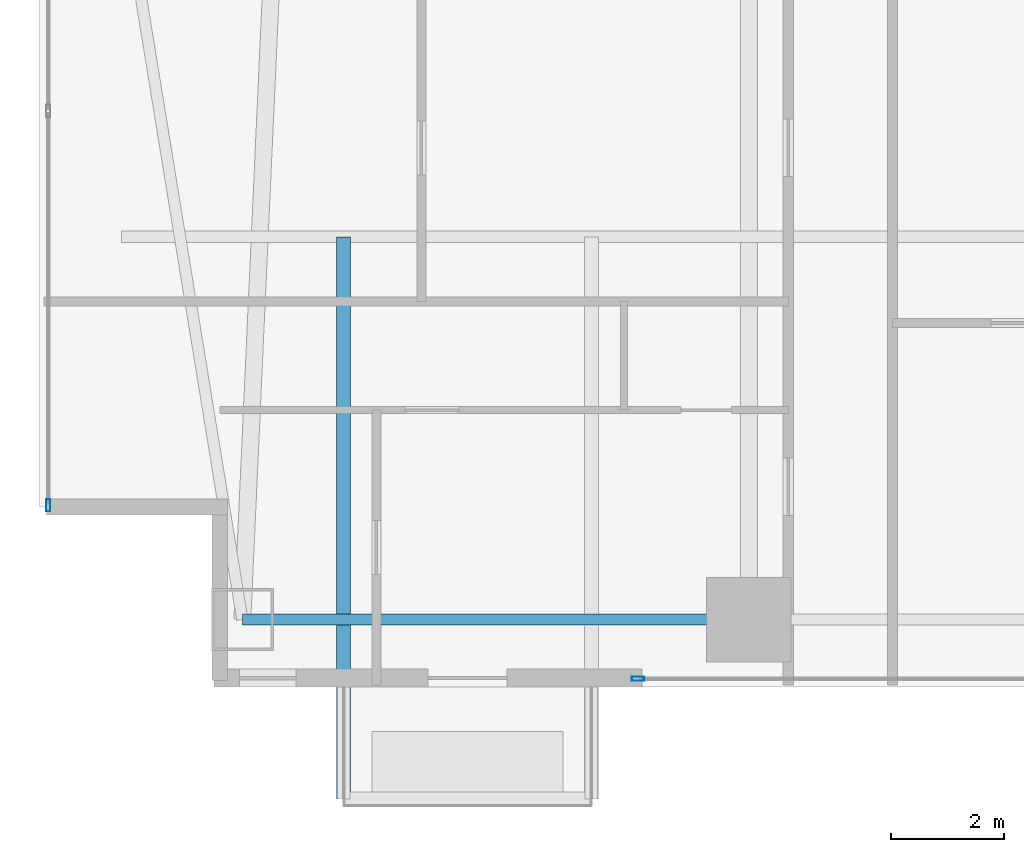
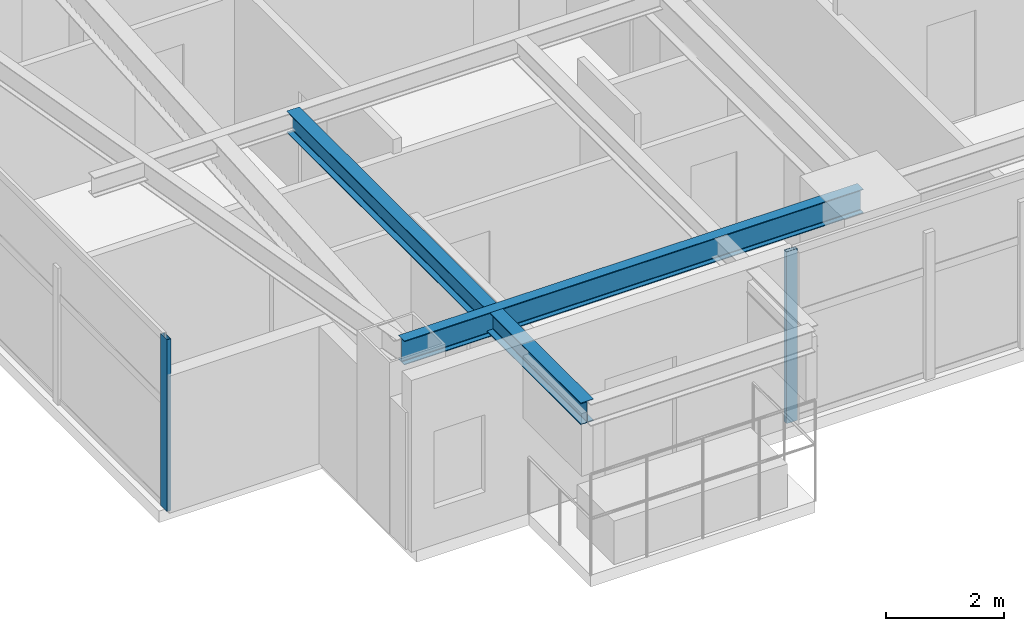
# One storey, part 2 of 29: 2 beams, 2 members, 2 elements without a shape of their own.
"""IFC4 building model written with IfcOpenShell, lengths in metres."""

from ifc_helpers import new_model, si_unit, direction, frame, origin, origin_2d, place, context, subcontext, project, spatial, hollow_rectangle, i_section, extrude, material, layer, layer_set, material_profile, profile_set, type_object, element, aggregate, save


model = new_model("IFC4")

# Units and contexts
model_context = context("Model", 3, precision=1e-05, world=origin(), true_north=direction((0.0, 1.0)))
body_context = subcontext(model_context, "Body", "Model", "MODEL_VIEW")
ifc_project = project(units=[si_unit("LENGTHUNIT", "METRE"), si_unit("AREAUNIT", "SQUARE_METRE"), si_unit("VOLUMEUNIT", "CUBIC_METRE"), si_unit("PLANEANGLEUNIT", "RADIAN"), si_unit("MASSUNIT", "GRAM", prefix="KILO")], contexts=[model_context])

# Site, building, storey
site_placement = place(None, origin())
site = spatial("IfcSite", under=ifc_project, at=site_placement, CompositionType="ELEMENT")
building_placement = place(site_placement, origin())
building = spatial("IfcBuilding", under=site, at=building_placement, Name="Calvorn Quay Hotel", CompositionType="ELEMENT")
storey_placement = place(building_placement, frame((0.0, 0.0, 66.0)))
storey = spatial("IfcBuildingStorey", under=building, at=storey_placement, Name="L15", CompositionType="ELEMENT", Elevation=66.0)

# Beams
ifc_material_1 = material(Name="Steel Q355B", Category="steel")
ifc_material_profile_1 = material_profile(ifc_material_1, i_section(OverallWidth=0.25, OverallDepth=0.449951171875, WebThickness=0.011962890625, FlangeThickness=0.01611328125, FilletRadius=0.01611328125, at=origin_2d()), Name="HN450x250x12x16")
ifc_profile_set_1 = profile_set([ifc_material_profile_1], Name="Steel Q355B")
beam_type_1 = type_object("IfcBeamType", Name="BM-CANT-BALC", PredefinedType="BEAM", material=ifc_profile_set_1)
beam_1_placement = place(storey_placement, frame((5.39990234375, 10.39990234375, 3.31494140625), z_axis=(0.0, -1.0, 0.0), x_axis=(1.0, 0.0, 0.0)))
element("IfcBeam", 1, at=beam_1_placement, inside=storey, type_object=beam_type_1, Name="Cantilever Balcony Beam BCB-L16-2A", PredefinedType="BEAM", context=body_context, shape_type="SweptSolid", body=[
    extrude(i_section(OverallWidth=0.25, OverallDepth=0.449951171875, WebThickness=0.011962890625, FlangeThickness=0.01611328125, FilletRadius=0.01611328125, at=origin_2d()), origin(), (0.0, 0.0, 1.0), 9.989990234375),
])
ifc_material_2 = material(Name="Steel Q355B", Category="steel")
ifc_material_profile_2 = material_profile(ifc_material_2, i_section(OverallWidth=0.199951171875, OverallDepth=0.5, WebThickness=0.010009765625, FlangeThickness=0.01611328125, FilletRadius=0.01611328125, at=origin_2d()), Name="HN500x200x10x16")
ifc_profile_set_2 = profile_set([ifc_material_profile_2], Name="Steel Q355B")
beam_type_2 = type_object("IfcBeamType", Name="BM-SPANDREL-Z1", PredefinedType="SPANDREL", material=ifc_profile_set_2)
beam_2_placement = place(storey_placement, frame((3.60009765625, 3.60009765625, 3.2900390625), z_axis=(1.0, 0.0, 0.0), x_axis=(0.0, 1.0, 0.0)))
element("IfcBeam", 2, at=beam_2_placement, inside=storey, type_object=beam_type_2, Name="Beam BSP-L15-S1", PredefinedType="SPANDREL", context=body_context, shape_type="SweptSolid", body=[
    extrude(i_section(OverallWidth=0.199951171875, OverallDepth=0.5, WebThickness=0.010009765625, FlangeThickness=0.01611328125, FilletRadius=0.01611328125, at=origin_2d()), origin(), (0.0, 0.0, 1.0), 9.0),
])

# Curtain wall, member
ifc_material_3 = material(Name="Pale Anodised Aluminium and Low-E Glass", Category="aluminium")
ifc_layer = layer(ifc_material_3, 0.219970703125)
ifc_layer_set = layer_set([ifc_layer], Name="CW-SYS-Z1")
curtain_wall_type = type_object("IfcCurtainWallType", Name="CW-SYS-Z1", PredefinedType="NOTDEFINED", material=ifc_layer_set)
curtain_wall_1_placement = place(storey_placement, origin())
curtain_wall_1 = element("IfcCurtainWall", 3, at=curtain_wall_1_placement, inside=storey, type_object=curtain_wall_type, Name="Tower West Curtain Wall (L15)", PredefinedType="NOTDEFINED")
ifc_material_4 = material(Name="Pale Anodised Aluminium 6063-T6", Category="aluminium")
ifc_material_profile_3 = material_profile(ifc_material_4, hollow_rectangle(XDim=0.074951171875, YDim=0.219970703125, WallThickness=0.00439453125, at=origin_2d()), Name="ALU-M220x75x4.5")
ifc_profile_set_3 = profile_set([ifc_material_profile_3], Name="Pale Anodised Aluminium 6063-T6")
member_type = type_object("IfcMemberType", Name="CW-SYS-Z1-MUL", PredefinedType="MULLION", material=ifc_profile_set_3)
member_1_placement = place(storey_placement, frame((0.14990234375, 5.6298828125, 0.0), z_axis=(0.0, 0.0, 1.0), x_axis=(-1.0, 0.0, 0.0)))
member_1 = element("IfcMember", 4, at=member_1_placement, type_object=member_type, Name="CW-L15-W mullion 1", PredefinedType="MULLION", context=body_context, shape_type="SweptSolid", body=[
    extrude(hollow_rectangle(XDim=0.074951171875, YDim=0.219970703125, WallThickness=0.00439453125, at=origin_2d()), origin(), (0.0, 0.0, 1.0), 3.56005859375),
])
aggregate(curtain_wall_1, [member_1])

curtain_wall_2_placement = place(storey_placement, origin())
curtain_wall_2 = element("IfcCurtainWall", 5, at=curtain_wall_2_placement, inside=storey, type_object=curtain_wall_type, Name="Tower South Waterfront Curtain Wall (L15)", PredefinedType="NOTDEFINED")
member_2_placement = place(storey_placement, frame((10.6298828125, 2.550048828125, 0.0), z_axis=(0.0, 0.0, 1.0), x_axis=(0.0, 1.0, 0.0)))
member_2 = element("IfcMember", 6, at=member_2_placement, type_object=member_type, Name="CW-L15-S mullion 1", PredefinedType="MULLION", context=body_context, shape_type="SweptSolid", body=[
    extrude(hollow_rectangle(XDim=0.074951171875, YDim=0.219970703125, WallThickness=0.00439453125, at=origin_2d()), origin(), (0.0, 0.0, 1.0), 3.56005859375),
])
aggregate(curtain_wall_2, [member_2])

save(model, "model.ifc")
